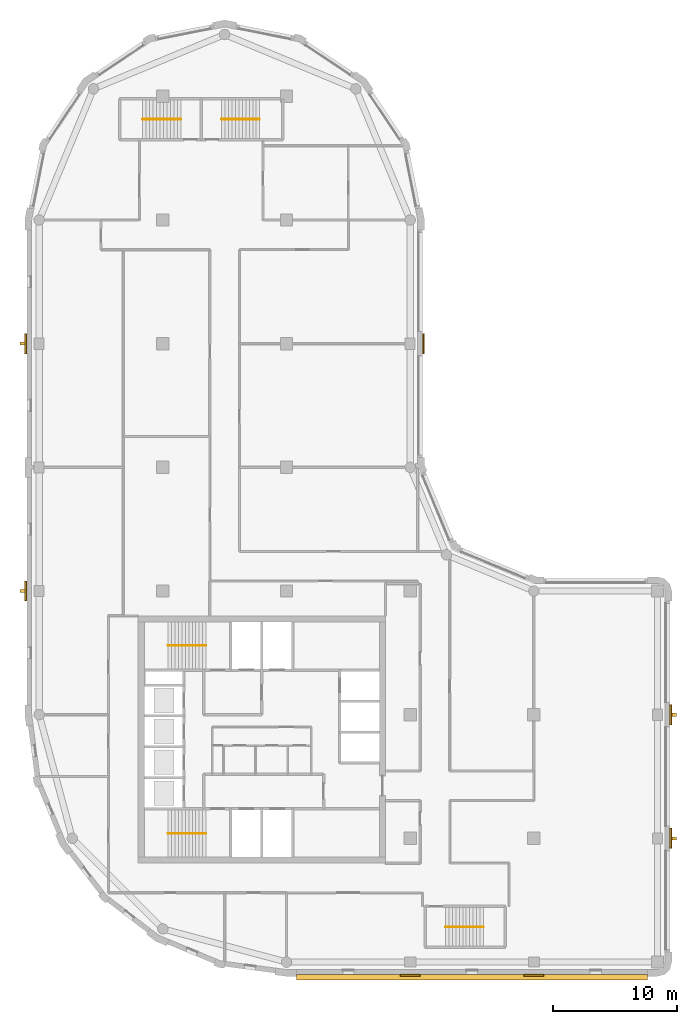
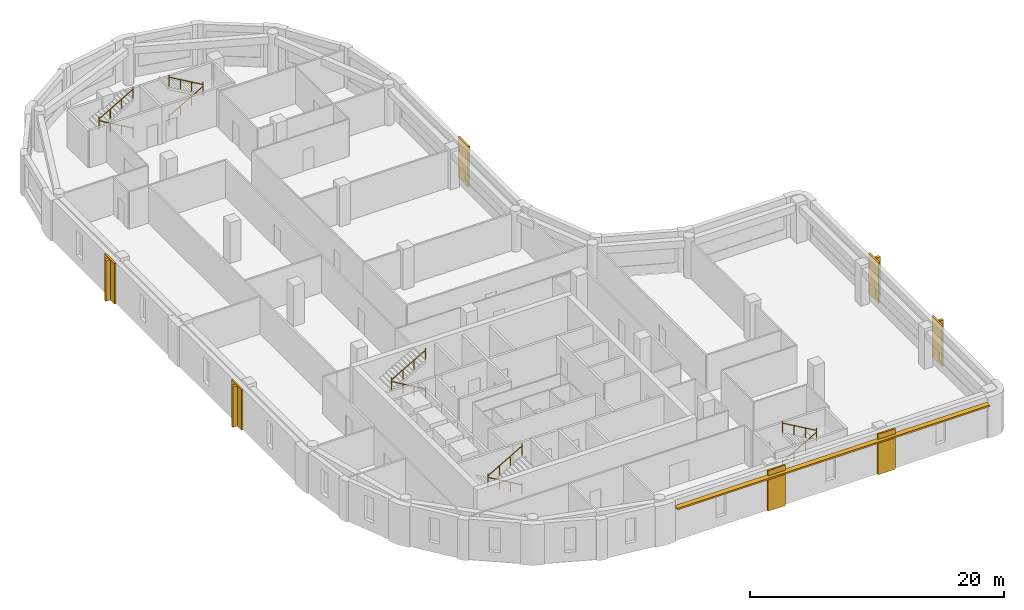
# One storey, part 8 of 9: 10 railings, 7 coverings, 5 shading devices.
"""IFC4 building model written with IfcOpenShell, lengths in metres."""

import ifcopenshell
import ifcopenshell.guid

model = None  # the IFC model being written
_history = None  # IfcOwnerHistory: only IFC2X3 demands one
_inside = {}  # id of a spatial element -> (the spatial element, [elements in it])
_under = {}  # id of a project, library or spatial element -> (it, [spatial elements below it])
_declared = {}  # id of a project -> (the project, [libraries it declares])
_typed = {}  # id of a type object -> (the type object, [elements of that type])
_made_of = {}  # id of a material, layer set ... -> (it, [elements and type objects made of it])


def new_model(schema):
    """Start an empty IFC model of exactly this schema.

    Asked for "IFC4X3", IfcOpenShell would pick the latest addendum, in which some entities
    have other attributes; the version numbers below select the first issue.
    IFC2X3 requires an IfcOwnerHistory on every rooted entity: one is made here for all.
    """
    global model, _history
    if schema == "IFC4X3":
        model = ifcopenshell.file(schema_version=(4, 3, 0, 0))
    else:
        model = ifcopenshell.file(schema=schema)
    _inside.clear()
    _under.clear()
    _declared.clear()
    _typed.clear()
    _made_of.clear()
    _history = None
    if model.schema == "IFC2X3":
        org = make("IfcOrganization", Name="unknown")
        user = make(
            "IfcPersonAndOrganization",
            ThePerson=make("IfcPerson", FamilyName="unknown"),
            TheOrganization=org,
        )
        app = make(
            "IfcApplication",
            ApplicationDeveloper=org,
            Version="unknown",
            ApplicationFullName="unknown",
            ApplicationIdentifier="unknown",
        )
        _history = make(
            "IfcOwnerHistory",
            OwningUser=user,
            OwningApplication=app,
            ChangeAction="ADDED",
            CreationDate=0,
        )
    return model


def make(cls, **values):
    """One entity of the class cls with the attributes given. An attribute that is None is left unset."""
    return model.create_entity(
        cls, **{name: value for name, value in values.items() if value is not None}
    )


def rooted(cls, **values):
    """An entity with a GlobalId (a new one), such as an element, a storey or a relation."""
    return make(cls, GlobalId=ifcopenshell.guid.new(), OwnerHistory=_history, **values)


def si_unit(unit_type, name, prefix=None):
    """IfcSIUnit, for example si_unit("LENGTHUNIT", "METRE", prefix="MILLI")."""
    return make("IfcSIUnit", UnitType=unit_type, Prefix=prefix, Name=name)


def assignment(units):
    """IfcUnitAssignment: the units of a project."""
    return None if units is None else make("IfcUnitAssignment", Units=units)


def point(xyz):
    """IfcCartesianPoint."""
    return None if xyz is None else make("IfcCartesianPoint", Coordinates=xyz)


def direction(xyz):
    """IfcDirection."""
    return None if xyz is None else make("IfcDirection", DirectionRatios=xyz)


def frame(location, z_axis=None, x_axis=None):
    """IfcAxis2Placement3D, a coordinate frame: its origin and axes. An axis left out is left unset."""
    return make(
        "IfcAxis2Placement3D",
        Location=point(location),
        Axis=direction(z_axis),
        RefDirection=direction(x_axis),
    )


def frame_2d(location, x_axis=None):
    """IfcAxis2Placement2D, a coordinate frame in the plane: its origin and x axis."""
    return make(
        "IfcAxis2Placement2D", Location=point(location), RefDirection=direction(x_axis)
    )


def origin():
    """The frame at (0, 0, 0) with its axes left unset."""
    return frame((0.0, 0.0, 0.0))


def origin_2d():
    """The frame at (0, 0) in the plane with its x axis left unset."""
    return frame_2d((0.0, 0.0))


def place(relative_to, where):
    """IfcLocalPlacement: puts the frame where relative to a parent placement (None: the world)."""
    return make(
        "IfcLocalPlacement", PlacementRelTo=relative_to, RelativePlacement=where
    )


def context(
    kind, dimensions, precision=None, world=None, true_north=None, identifier=None
):
    """IfcGeometricRepresentationContext, for example the 3D "Model" context."""
    return make(
        "IfcGeometricRepresentationContext",
        ContextIdentifier=identifier,
        ContextType=kind,
        CoordinateSpaceDimension=dimensions,
        Precision=precision,
        WorldCoordinateSystem=world,
        TrueNorth=true_north,
    )


def subcontext(parent, identifier, kind, view, scale=None):
    """IfcGeometricRepresentationSubContext, for example "Body" below "Model"."""
    return make(
        "IfcGeometricRepresentationSubContext",
        ContextIdentifier=identifier,
        ContextType=kind,
        ParentContext=parent,
        TargetScale=scale,
        TargetView=view,
    )


def project(units=None, contexts=None):
    """IfcProject with its units and contexts."""
    return rooted(
        "IfcProject",
        Name="project",
        RepresentationContexts=contexts,
        UnitsInContext=assignment(units),
    )


def spatial(cls, under=None, at=None, **own):
    """A site, building, storey or space (cls), placed at a placement, below another one or the project."""
    s = rooted(cls, ObjectPlacement=at, **own)
    if under is not None:
        _under.setdefault(under.id(), (under, []))[1].append(s)
    return s


def polyline(points):
    """IfcPolyline through the points."""
    return make("IfcPolyline", Points=[point(p) for p in points])


def profile(cls, at=None, kind="AREA", **sizes):
    """A parametric profile (cls). Its sizes go by their IFC names, for example OverallWidth=200.0."""
    return make(cls, ProfileType=kind, Position=at, **sizes)


def rectangle(**sizes):
    """IfcRectangleProfileDef."""
    return profile("IfcRectangleProfileDef", **sizes)


def circle(**sizes):
    """IfcCircleProfileDef."""
    return profile("IfcCircleProfileDef", **sizes)


def outline(outer, holes=None, kind="AREA"):
    """IfcArbitraryClosedProfileDef: a profile drawn as a closed curve; with holes, ...WithVoids."""
    if holes is None:
        return make("IfcArbitraryClosedProfileDef", ProfileType=kind, OuterCurve=outer)
    return make(
        "IfcArbitraryProfileDefWithVoids",
        ProfileType=kind,
        OuterCurve=outer,
        InnerCurves=holes,
    )


def extrude(swept, where, along, depth):
    """IfcExtrudedAreaSolid: the profile swept, set in the frame where, extruded along a direction by depth."""
    return make(
        "IfcExtrudedAreaSolid",
        SweptArea=swept,
        Position=where,
        ExtrudedDirection=direction(along),
        Depth=depth,
    )


def shape(context_of_items, identifier, shape_type, items):
    """IfcShapeRepresentation: the items that make up one representation, for example the "Body"."""
    return make(
        "IfcShapeRepresentation",
        ContextOfItems=context_of_items,
        RepresentationIdentifier=identifier,
        RepresentationType=shape_type,
        Items=items,
    )


def material(Name=None, Category=None):
    """IfcMaterial."""
    return make("IfcMaterial", Name=Name, Category=Category)


def layer(
    of_material, thickness, ventilated=None, Name=None, Category=None, Priority=None
):
    """IfcMaterialLayer: one layer of a wall or slab, of a material (None: an air gap)."""
    return make(
        "IfcMaterialLayer",
        Material=of_material,
        LayerThickness=thickness,
        IsVentilated=ventilated,
        Name=Name,
        Category=Category,
        Priority=Priority,
    )


def layer_set(layers, Name=None):
    """IfcMaterialLayerSet."""
    return make("IfcMaterialLayerSet", MaterialLayers=layers, LayerSetName=Name)


def made_of(thing, what):
    """Note that an element or type object is made of a material, layer set ...; save() writes the relation."""
    if what is not None:
        _made_of.setdefault(what.id(), (what, []))[1].append(thing)
    return thing


def type_object(cls, material=None, **own):
    """A type object (cls), such as IfcWallType, which elements share."""
    return made_of(rooted(cls, **own), material)


def element(
    cls,
    number,
    at=None,
    inside=None,
    cuts=None,
    type_object=None,
    material=None,
    context=None,
    identifier="Body",
    shape_type=None,
    held_by="IfcProductDefinitionShape",
    body=None,
    shapes=None,
    **own,
):
    """One element of the class cls, such as IfcWall. Its Tag is "e" and its number.

    at: its placement. inside: the storey or other place that contains it. cuts: it is an
    opening in that element (IfcRelVoidsElement). A single representation is given by context,
    identifier, shape_type and body (its items); several are given by shapes. held_by: the class
    of the entity that holds the representations. save() writes the other relations.
    """
    e = rooted(cls, Tag="e%d" % number, ObjectPlacement=at, **own)
    if body is not None:
        shapes = [shape(context, identifier, shape_type, body)]
    if shapes is not None:
        e.Representation = make(held_by, Representations=shapes)
    if inside is not None:
        _inside.setdefault(inside.id(), (inside, []))[1].append(e)
    if cuts is not None:
        rooted(
            "IfcRelVoidsElement", RelatingBuildingElement=cuts, RelatedOpeningElement=e
        )
    if type_object is not None:
        _typed.setdefault(type_object.id(), (type_object, []))[1].append(e)
    return made_of(e, material)


def aggregate(whole, parts):
    """IfcRelAggregates: a whole, such as a stair, and the parts it consists of."""
    return rooted("IfcRelAggregates", RelatingObject=whole, RelatedObjects=parts)


def save(model, path):
    """Write the relations noted so far, then the file.

    IfcRelAggregates (storeys below a building ...), IfcRelContainedInSpatialStructure (elements
    in a storey), IfcRelDefinesByType, IfcRelAssociatesMaterial and IfcRelDeclares: one each for
    every whole, place, type object, material and project.
    """
    for whole, parts in _under.values():
        aggregate(whole, parts)
    for where, things in _inside.values():
        rooted(
            "IfcRelContainedInSpatialStructure",
            RelatedElements=things,
            RelatingStructure=where,
        )
    for kind, things in _typed.values():
        rooted("IfcRelDefinesByType", RelatedObjects=things, RelatingType=kind)
    for what, things in _made_of.values():
        rooted("IfcRelAssociatesMaterial", RelatedObjects=things, RelatingMaterial=what)
    for by, libraries in _declared.values():
        rooted("IfcRelDeclares", RelatingContext=by, RelatedDefinitions=libraries)
    model.write(path)


model = new_model("IFC4")

# Units and contexts
model_context = context("Model", 3, precision=1e-05, world=origin(), true_north=direction((0.0, 1.0)))
body_context = subcontext(model_context, "Body", "Model", "MODEL_VIEW")
ifc_project = project(units=[si_unit("LENGTHUNIT", "METRE"), si_unit("AREAUNIT", "SQUARE_METRE"), si_unit("VOLUMEUNIT", "CUBIC_METRE"), si_unit("PLANEANGLEUNIT", "RADIAN"), si_unit("MASSUNIT", "GRAM", prefix="KILO")], contexts=[model_context])

# Site, building, storey
site_placement = place(None, origin())
site = spatial("IfcSite", under=ifc_project, at=site_placement, CompositionType="ELEMENT")
building_placement = place(site_placement, origin())
building = spatial("IfcBuilding", under=site, at=building_placement, Name="Qaws Garden Tower", CompositionType="ELEMENT")
storey_placement = place(building_placement, frame((0.0, 0.0, 267.0)))
storey = spatial("IfcBuildingStorey", under=building, at=storey_placement, Name="L64", CompositionType="ELEMENT", Elevation=267.0)

# Coverings
ifc_material_1 = material(Name="Clay facing brick masonry", Category="masonry")
ifc_layer_1 = layer(ifc_material_1, 0.14990234375)
ifc_layer_set_1 = layer_set([ifc_layer_1], Name="Clay facing brick masonry")
covering_type = type_object("IfcCoveringType", Name="Brick pilaster facing 150 x 1600", PredefinedType="CLADDING", material=ifc_layer_set_1)
placement = place(storey_placement, origin())
element("IfcCovering", 1, at=placement, inside=storey, type_object=covering_type, Name="E-L64-pier-01", PredefinedType="CLADDING", context=body_context, shape_type="SweptSolid", body=[
    extrude(outline(polyline([(29.199951171875, -1.0), (30.800048828125, -1.0), (30.800048828125, -1.14990234375), (29.199951171875, -1.14990234375), (29.199951171875, -1.0)])), origin(), (0.0, 0.0, 1.0), 3.89990234375),
])
element("IfcCovering", 2, at=placement, inside=storey, type_object=covering_type, Name="E-L64-pier-02", PredefinedType="CLADDING", context=body_context, shape_type="SweptSolid", body=[
    extrude(outline(polyline([(39.199951171875, -1.0), (40.800048828125, -1.0), (40.800048828125, -1.14990234375), (39.199951171875, -1.14990234375), (39.199951171875, -1.0)])), origin(), (0.0, 0.0, 1.0), 3.89990234375),
])
element("IfcCovering", 3, at=placement, inside=storey, type_object=covering_type, Name="E-L64-pier-04", PredefinedType="CLADDING", context=body_context, shape_type="SweptSolid", body=[
    extrude(outline(polyline([(51.0, 9.199951171875), (51.0, 10.800048828125), (51.14990234375, 10.800048828125), (51.14990234375, 9.199951171875), (51.0, 9.199951171875)])), origin(), (0.0, 0.0, 1.0), 3.89990234375),
])
element("IfcCovering", 4, at=placement, inside=storey, type_object=covering_type, Name="E-L64-pier-05", PredefinedType="CLADDING", context=body_context, shape_type="SweptSolid", body=[
    extrude(outline(polyline([(51.0, 19.199951171875), (51.0, 20.800048828125), (51.14990234375, 20.800048828125), (51.14990234375, 19.199951171875), (51.0, 19.199951171875)])), origin(), (0.0, 0.0, 1.0), 3.89990234375),
])
element("IfcCovering", 5, at=placement, inside=storey, type_object=covering_type, Name="E-L64-pier-10", PredefinedType="CLADDING", context=body_context, shape_type="SweptSolid", body=[
    extrude(outline(polyline([(31.0, 49.199951171875), (31.0, 50.800048828125), (31.14990234375, 50.800048828125), (31.14990234375, 49.199951171875), (31.0, 49.199951171875)])), origin(), (0.0, 0.0, 1.0), 3.89990234375),
])
element("IfcCovering", 6, at=placement, inside=storey, type_object=covering_type, Name="E-L64-pier-20", PredefinedType="CLADDING", context=body_context, shape_type="SweptSolid", body=[
    extrude(outline(polyline([(-1.0, 50.800048828125), (-1.0, 49.199951171875), (-1.14990234375, 49.199951171875), (-1.14990234375, 50.800048828125), (-1.0, 50.800048828125)])), origin(), (0.0, 0.0, 1.0), 3.89990234375),
])
element("IfcCovering", 7, at=placement, inside=storey, type_object=covering_type, Name="E-L64-pier-22", PredefinedType="CLADDING", context=body_context, shape_type="SweptSolid", body=[
    extrude(outline(polyline([(-1.0, 30.800048828125), (-1.0, 29.199951171875), (-1.14990234375, 29.199951171875), (-1.14990234375, 30.800048828125), (-1.0, 30.800048828125)])), origin(), (0.0, 0.0, 1.0), 3.89990234375),
])

# Shading devices
ifc_material_2 = material(Name="Clay facing brick masonry", Category="masonry")
ifc_layer_2 = layer(ifc_material_2, 0.14990234375)
ifc_layer_set_2 = layer_set([ifc_layer_2], Name="Clay facing brick masonry")
shading_device_type_1 = type_object("IfcShadingDeviceType", Name="Brick sunshade band 450 x 150", PredefinedType="JALOUSIE", material=ifc_layer_set_2)
shading_device_placement = place(storey_placement, frame((0.0, 0.0, 3.25)))
element("IfcShadingDevice", 8, at=shading_device_placement, inside=storey, type_object=shading_device_type_1, Name="SUNSHADE 00", PredefinedType="JALOUSIE", context=body_context, shape_type="SweptSolid", body=[
    extrude(outline(polyline([(20.800048828125, -1.0), (20.800048828125, -1.449951171875), (49.199951171875, -1.449951171875), (49.199951171875, -1.0), (40.800048828125, -1.0), (40.800048828125, -1.14990234375), (39.199951171875, -1.14990234375), (39.199951171875, -1.0), (30.800048828125, -1.0), (30.800048828125, -1.14990234375), (29.199951171875, -1.14990234375), (29.199951171875, -1.0), (20.800048828125, -1.0)])), origin(), (0.0, 0.0, 1.0), 0.14990234375),
])
ifc_material_3 = material(Name="Clay facing brick masonry", Category="masonry")
ifc_layer_3 = layer(ifc_material_3, 0.25)
ifc_layer_set_3 = layer_set([ifc_layer_3], Name="Clay facing brick masonry")
shading_device_type_2 = type_object("IfcShadingDeviceType", Name="Brick-faced fin 250 x 400", PredefinedType="USERDEFINED", material=ifc_layer_set_3)
for number, where, z_axis, x_axis, name in (
    (9, (51.35009765625, 10.0, 0.0), (0.0, 0.0, 1.0), (0.0, 1.0, 0.0), "FIN 04"),
    (10, (51.35009765625, 20.0, 0.0), (0.0, 0.0, 1.0), (0.0, 1.0, 0.0), "FIN 05"),
    (11, (-1.35009765625, 50.0, 0.0), (0.0, 0.0, 1.0), (0.0, -1.0, 0.0), "FIN 20"),
    (12, (-1.35009765625, 30.0, 0.0), (0.0, 0.0, 1.0), (0.0, -1.0, 0.0), "FIN 22"),
):
    element("IfcShadingDevice", number, at=place(storey_placement, frame(where, z_axis=z_axis, x_axis=x_axis)), inside=storey, type_object=shading_device_type_2, Name=name, ObjectType="FIN", PredefinedType="USERDEFINED", context=body_context, shape_type="SweptSolid", body=[
        extrude(rectangle(XDim=0.25, YDim=0.39990234375, at=origin_2d()), origin(), (0.0, 0.0, 1.0), 3.89990234375),
    ])

# Railings
ifc_material_4 = material(Name="Steel S355", Category="steel")
railing_type = type_object("IfcRailingType", Name="Stair handrail 900", PredefinedType="HANDRAIL", material=ifc_material_4)
railing_1_placement = place(storey_placement, frame((13.5, 10.39990234375, 0.16259765625)))
element("IfcRailing", 13, at=railing_1_placement, inside=storey, type_object=railing_type, Name="Stair 1 handrail", PredefinedType="HANDRAIL", context=body_context, shape_type="SweptSolid", body=[
    extrude(circle(Radius=0.02392578125, at=origin_2d()), frame((0.0, 0.0, 0.8759765625), z_axis=(-0.864920483161, 0.0, 0.501908913857), x_axis=(0.0, -1.0, 0.0)), (0.0, 0.0, 1.0), 3.56103515625),
    extrude(circle(Radius=0.02099609375, at=origin_2d()), origin(), (0.0, 0.0, 1.0), 1.06201171875),
    extrude(circle(Radius=0.02099609375, at=origin_2d()), frame((-1.026611328125, 0.0, 0.595703125)), (0.0, 0.0, 1.0), 0.851806640625),
    extrude(circle(Radius=0.02099609375, at=origin_2d()), frame((-2.053466796875, 0.0, 1.191650390625)), (0.0, 0.0, 1.0), 0.851806640625),
    extrude(circle(Radius=0.02099609375, at=origin_2d()), frame((-3.080078125, 0.0, 1.787353515625)), (0.0, 0.0, 1.0), 1.06201171875),
])
railing_2_placement = place(storey_placement, frame((10.419921875, 10.39990234375, 2.112548828125)))
element("IfcRailing", 14, at=railing_2_placement, inside=storey, type_object=railing_type, Name="Stair 1 handrail", PredefinedType="HANDRAIL", context=body_context, shape_type="SweptSolid", body=[
    extrude(circle(Radius=0.02392578125, at=origin_2d()), frame((0.0, 0.0, 0.8759765625), z_axis=(0.864920483161, 0.0, 0.501908913857), x_axis=(0.0, 1.0, 0.0)), (0.0, 0.0, 1.0), 3.56103515625),
    extrude(circle(Radius=0.02099609375, at=origin_2d()), origin(), (0.0, 0.0, 1.0), 1.06201171875),
    extrude(circle(Radius=0.02099609375, at=origin_2d()), frame((1.026611328125, 0.0, 0.595703125)), (0.0, 0.0, 1.0), 0.851806640625),
    extrude(circle(Radius=0.02099609375, at=origin_2d()), frame((2.053466796875, 0.0, 1.191650390625)), (0.0, 0.0, 1.0), 0.851806640625),
    extrude(circle(Radius=0.02099609375, at=origin_2d()), frame((3.080078125, 0.0, 1.787353515625)), (0.0, 0.0, 1.0), 1.06201171875),
])
railing_3_placement = place(storey_placement, frame((13.5, 25.60009765625, 0.16259765625)))
element("IfcRailing", 15, at=railing_3_placement, inside=storey, type_object=railing_type, Name="Stair 4 handrail", PredefinedType="HANDRAIL", context=body_context, shape_type="SweptSolid", body=[
    extrude(circle(Radius=0.02392578125, at=origin_2d()), frame((0.0, 0.0, 0.8759765625), z_axis=(-0.864920483161, 0.0, 0.501908913857), x_axis=(0.0, -1.0, 0.0)), (0.0, 0.0, 1.0), 3.56103515625),
    extrude(circle(Radius=0.02099609375, at=origin_2d()), origin(), (0.0, 0.0, 1.0), 1.06201171875),
    extrude(circle(Radius=0.02099609375, at=origin_2d()), frame((-1.026611328125, 0.0, 0.595703125)), (0.0, 0.0, 1.0), 0.851806640625),
    extrude(circle(Radius=0.02099609375, at=origin_2d()), frame((-2.053466796875, 0.0, 1.191650390625)), (0.0, 0.0, 1.0), 0.851806640625),
    extrude(circle(Radius=0.02099609375, at=origin_2d()), frame((-3.080078125, 0.0, 1.787353515625)), (0.0, 0.0, 1.0), 1.06201171875),
])
railing_4_placement = place(storey_placement, frame((10.419921875, 25.60009765625, 2.112548828125)))
element("IfcRailing", 16, at=railing_4_placement, inside=storey, type_object=railing_type, Name="Stair 4 handrail", PredefinedType="HANDRAIL", context=body_context, shape_type="SweptSolid", body=[
    extrude(circle(Radius=0.02392578125, at=origin_2d()), frame((0.0, 0.0, 0.8759765625), z_axis=(0.864920483161, 0.0, 0.501908913857), x_axis=(0.0, 1.0, 0.0)), (0.0, 0.0, 1.0), 3.56103515625),
    extrude(circle(Radius=0.02099609375, at=origin_2d()), origin(), (0.0, 0.0, 1.0), 1.06201171875),
    extrude(circle(Radius=0.02099609375, at=origin_2d()), frame((1.026611328125, 0.0, 0.595703125)), (0.0, 0.0, 1.0), 0.851806640625),
    extrude(circle(Radius=0.02099609375, at=origin_2d()), frame((2.053466796875, 0.0, 1.191650390625)), (0.0, 0.0, 1.0), 0.851806640625),
    extrude(circle(Radius=0.02099609375, at=origin_2d()), frame((3.080078125, 0.0, 1.787353515625)), (0.0, 0.0, 1.0), 1.06201171875),
])
railing_5_placement = place(storey_placement, frame((32.85009765625, 2.85009765625, 0.16259765625)))
element("IfcRailing", 17, at=railing_5_placement, inside=storey, type_object=railing_type, Name="Stair 5 handrail", PredefinedType="HANDRAIL", context=body_context, shape_type="SweptSolid", body=[
    extrude(circle(Radius=0.02392578125, at=origin_2d()), frame((0.0, 0.0, 0.8759765625), z_axis=(0.864903211148, 0.0, 0.501938676878), x_axis=(0.0, 1.0, 0.0)), (0.0, 0.0, 1.0), 3.560791015625),
    extrude(circle(Radius=0.02099609375, at=origin_2d()), origin(), (0.0, 0.0, 1.0), 1.06201171875),
    extrude(circle(Radius=0.02099609375, at=origin_2d()), frame((1.026611328125, 0.0, 0.595703125)), (0.0, 0.0, 1.0), 0.851806640625),
    extrude(circle(Radius=0.02099609375, at=origin_2d()), frame((2.05322265625, 0.0, 1.191650390625)), (0.0, 0.0, 1.0), 0.851806640625),
    extrude(circle(Radius=0.02099609375, at=origin_2d()), frame((3.079833984375, 0.0, 1.787353515625)), (0.0, 0.0, 1.0), 1.06201171875),
])
for number, where, name in (
    (18, (35.929931640625, 2.85009765625, 2.112548828125), "Stair 5 handrail"),
    (19, (11.449951171875, 68.14990234375, 0.16259765625), "Stair 6 handrail"),
):
    element("IfcRailing", number, at=place(storey_placement, frame(where)), inside=storey, type_object=railing_type, Name=name, PredefinedType="HANDRAIL", context=body_context, shape_type="SweptSolid", body=[
        extrude(circle(Radius=0.02392578125, at=origin_2d()), frame((0.0, 0.0, 0.8759765625), z_axis=(-0.864903211148, 0.0, 0.501938676878), x_axis=(0.0, -1.0, 0.0)), (0.0, 0.0, 1.0), 3.560791015625),
        extrude(circle(Radius=0.02099609375, at=origin_2d()), origin(), (0.0, 0.0, 1.0), 1.06201171875),
        extrude(circle(Radius=0.02099609375, at=origin_2d()), frame((-1.026611328125, 0.0, 0.595703125)), (0.0, 0.0, 1.0), 0.851806640625),
        extrude(circle(Radius=0.02099609375, at=origin_2d()), frame((-2.05322265625, 0.0, 1.191650390625)), (0.0, 0.0, 1.0), 0.851806640625),
        extrude(circle(Radius=0.02099609375, at=origin_2d()), frame((-3.079833984375, 0.0, 1.787353515625)), (0.0, 0.0, 1.0), 1.06201171875),
    ])
railing_6_placement = place(storey_placement, frame((8.3701171875, 68.14990234375, 2.112548828125)))
element("IfcRailing", 20, at=railing_6_placement, inside=storey, type_object=railing_type, Name="Stair 6 handrail", PredefinedType="HANDRAIL", context=body_context, shape_type="SweptSolid", body=[
    extrude(circle(Radius=0.02392578125, at=origin_2d()), frame((0.0, 0.0, 0.8759765625), z_axis=(0.864903211148, 0.0, 0.501938676878), x_axis=(0.0, 1.0, 0.0)), (0.0, 0.0, 1.0), 3.560791015625),
    extrude(circle(Radius=0.02099609375, at=origin_2d()), origin(), (0.0, 0.0, 1.0), 1.06201171875),
    extrude(circle(Radius=0.02099609375, at=origin_2d()), frame((1.026611328125, 0.0, 0.595703125)), (0.0, 0.0, 1.0), 0.851806640625),
    extrude(circle(Radius=0.02099609375, at=origin_2d()), frame((2.05322265625, 0.0, 1.191650390625)), (0.0, 0.0, 1.0), 0.851806640625),
    extrude(circle(Radius=0.02099609375, at=origin_2d()), frame((3.079833984375, 0.0, 1.787353515625)), (0.0, 0.0, 1.0), 1.06201171875),
])
railing_7_placement = place(storey_placement, frame((14.75, 68.14990234375, 0.16259765625)))
element("IfcRailing", 21, at=railing_7_placement, inside=storey, type_object=railing_type, Name="Stair 7 handrail", PredefinedType="HANDRAIL", context=body_context, shape_type="SweptSolid", body=[
    extrude(circle(Radius=0.02392578125, at=origin_2d()), frame((0.0, 0.0, 0.8759765625), z_axis=(0.864920483161, 0.0, 0.501908913857), x_axis=(0.0, 1.0, 0.0)), (0.0, 0.0, 1.0), 3.56103515625),
    extrude(circle(Radius=0.02099609375, at=origin_2d()), origin(), (0.0, 0.0, 1.0), 1.06201171875),
    extrude(circle(Radius=0.02099609375, at=origin_2d()), frame((1.026611328125, 0.0, 0.595703125)), (0.0, 0.0, 1.0), 0.851806640625),
    extrude(circle(Radius=0.02099609375, at=origin_2d()), frame((2.053466796875, 0.0, 1.191650390625)), (0.0, 0.0, 1.0), 0.851806640625),
    extrude(circle(Radius=0.02099609375, at=origin_2d()), frame((3.080078125, 0.0, 1.787353515625)), (0.0, 0.0, 1.0), 1.06201171875),
])
railing_8_placement = place(storey_placement, frame((17.830078125, 68.14990234375, 2.112548828125)))
element("IfcRailing", 22, at=railing_8_placement, inside=storey, type_object=railing_type, Name="Stair 7 handrail", PredefinedType="HANDRAIL", context=body_context, shape_type="SweptSolid", body=[
    extrude(circle(Radius=0.02392578125, at=origin_2d()), frame((0.0, 0.0, 0.8759765625), z_axis=(-0.864920483161, 0.0, 0.501908913857), x_axis=(0.0, -1.0, 0.0)), (0.0, 0.0, 1.0), 3.56103515625),
    extrude(circle(Radius=0.02099609375, at=origin_2d()), origin(), (0.0, 0.0, 1.0), 1.06201171875),
    extrude(circle(Radius=0.02099609375, at=origin_2d()), frame((-1.026611328125, 0.0, 0.595703125)), (0.0, 0.0, 1.0), 0.851806640625),
    extrude(circle(Radius=0.02099609375, at=origin_2d()), frame((-2.053466796875, 0.0, 1.191650390625)), (0.0, 0.0, 1.0), 0.851806640625),
    extrude(circle(Radius=0.02099609375, at=origin_2d()), frame((-3.080078125, 0.0, 1.787353515625)), (0.0, 0.0, 1.0), 1.06201171875),
])

save(model, "model.ifc")
